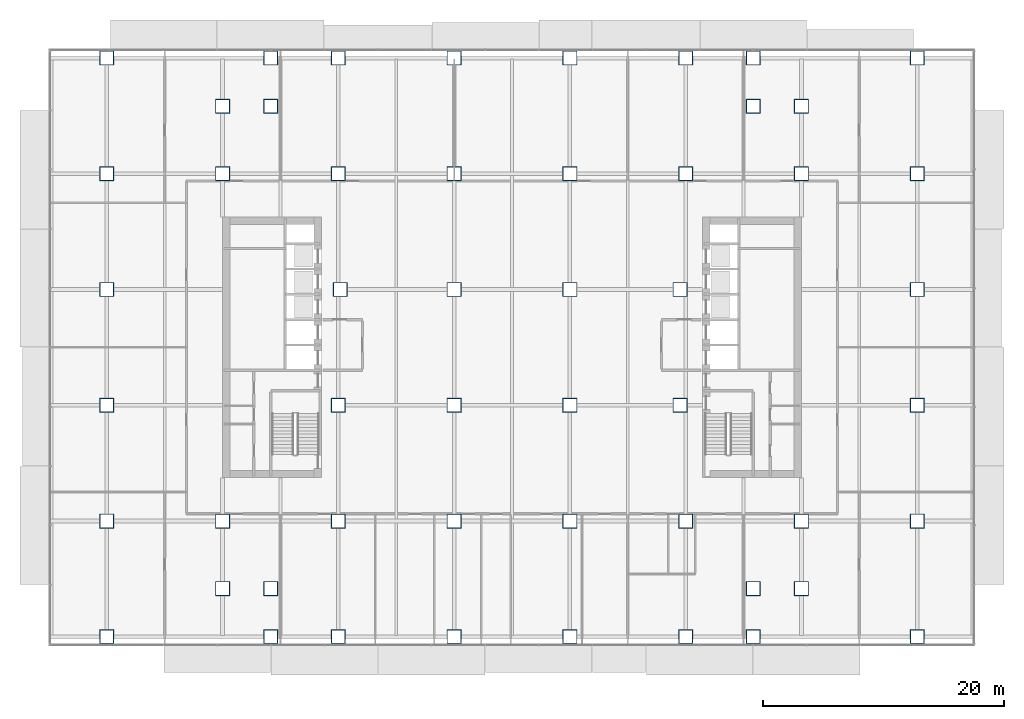
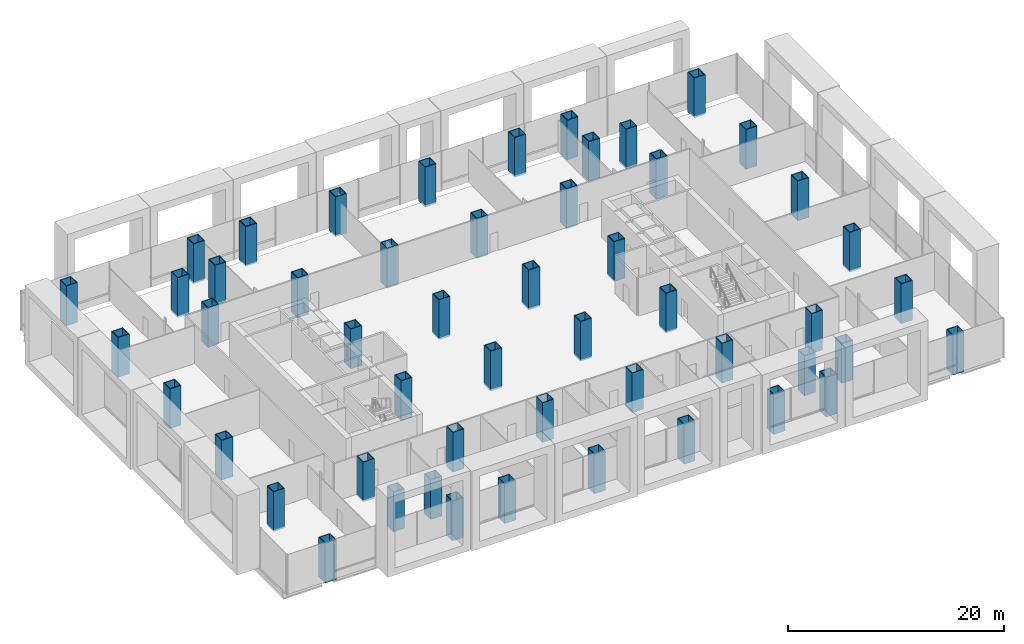
# One storey, part 1 of 23: 52 columns.
"""IFC4 building model written with IfcOpenShell, lengths in metres."""

from ifc_helpers import new_model, si_unit, direction, frame, origin, origin_2d, place, context, subcontext, project, spatial, hollow_rectangle, extrude, material, material_profile, profile_set, type_object, element, save


model = new_model("IFC4")

# Units and contexts
model_context = context("Model", 3, precision=1e-05, world=origin(), true_north=direction((0.0, 1.0)))
body_context = subcontext(model_context, "Body", "Model", "MODEL_VIEW")
ifc_project = project(units=[si_unit("LENGTHUNIT", "METRE"), si_unit("AREAUNIT", "SQUARE_METRE"), si_unit("VOLUMEUNIT", "CUBIC_METRE"), si_unit("PLANEANGLEUNIT", "RADIAN"), si_unit("MASSUNIT", "GRAM", prefix="KILO")], contexts=[model_context])

# Site, building, storey
site_placement = place(None, origin())
site = spatial("IfcSite", under=ifc_project, at=site_placement, CompositionType="ELEMENT")
building_placement = place(site_placement, origin())
building = spatial("IfcBuilding", under=site, at=building_placement, Name="Cobrizo Arcos Hotel Tower", CompositionType="ELEMENT")
storey_placement = place(building_placement, frame((0.0, 0.0, 24.5)))
storey = spatial("IfcBuildingStorey", under=building, at=storey_placement, Name="L04", CompositionType="ELEMENT", Elevation=24.5)

# Columns
ifc_material = material(Name="Steel ASTM A572 Grade 50", Category="steel")
ifc_material_profile_1 = material_profile(ifc_material, hollow_rectangle(XDim=1.199951171875, YDim=1.199951171875, WallThickness=0.070068359375, at=origin_2d()), Name="BOX 1200X1200X70")
ifc_profile_set_1 = profile_set([ifc_material_profile_1], Name="Steel ASTM A572 Grade 50")
column_type_1 = type_object("IfcColumnType", Name="BOX 1200X1200X70 column", PredefinedType="COLUMN", material=ifc_profile_set_1)
for number, where, z_axis, x_axis, name in (
    (1, (-33.60009765625, -24.0, -0.199951171875), (0.0, 0.0, 1.0), (1.0, 0.0, 0.0), "Perimeter column C1, L04, no. 00"),
    (2, (-33.60009765625, -14.39990234375, -0.199951171875), (0.0, 0.0, 1.0), (1.0, 0.0, 0.0), "Perimeter column C1, L04, no. 01"),
    (3, (-33.60009765625, -4.800048828125, -0.199951171875), (0.0, 0.0, 1.0), (1.0, 0.0, 0.0), "Perimeter column C1, L04, no. 02"),
    (4, (-33.60009765625, 4.800048828125, -0.199951171875), (0.0, 0.0, 1.0), (1.0, 0.0, 0.0), "Perimeter column C1, L04, no. 03"),
    (5, (-33.60009765625, 14.39990234375, -0.199951171875), (0.0, 0.0, 1.0), (1.0, 0.0, 0.0), "Perimeter column C1, L04, no. 04"),
    (6, (-33.60009765625, 24.0, -0.199951171875), (0.0, 0.0, 1.0), (1.0, 0.0, 0.0), "Perimeter column C1, L04, no. 05"),
    (7, (-20.0, -24.0, -0.199951171875), (0.0, 0.0, 1.0), (1.0, 0.0, 0.0), "Perimeter column C1, L04, no. 06"),
    (8, (-20.0, 24.0, -0.199951171875), (0.0, 0.0, 1.0), (1.0, 0.0, 0.0), "Perimeter column C1, L04, no. 07"),
    (9, (-14.39990234375, -24.0, -0.199951171875), (0.0, 0.0, 1.0), (1.0, 0.0, 0.0), "Perimeter column C1, L04, no. 08"),
    (10, (-14.39990234375, 24.0, -0.199951171875), (0.0, 0.0, 1.0), (1.0, 0.0, 0.0), "Perimeter column C1, L04, no. 09"),
    (11, (-4.800048828125, -24.0, -0.199951171875), (0.0, 0.0, 1.0), (1.0, 0.0, 0.0), "Perimeter column C1, L04, no. 10"),
    (12, (-4.800048828125, 24.0, -0.199951171875), (0.0, 0.0, 1.0), (1.0, 0.0, 0.0), "Perimeter column C1, L04, no. 11"),
    (13, (4.800048828125, -24.0, -0.199951171875), (0.0, 0.0, 1.0), (1.0, 0.0, 0.0), "Perimeter column C1, L04, no. 12"),
    (14, (4.800048828125, 24.0, -0.199951171875), (0.0, 0.0, 1.0), (1.0, 0.0, 0.0), "Perimeter column C1, L04, no. 13"),
    (15, (14.39990234375, -24.0, -0.199951171875), (0.0, 0.0, 1.0), (1.0, 0.0, 0.0), "Perimeter column C1, L04, no. 14"),
    (16, (14.39990234375, 24.0, -0.199951171875), (0.0, 0.0, 1.0), (1.0, 0.0, 0.0), "Perimeter column C1, L04, no. 15"),
    (17, (20.0, -24.0, -0.199951171875), (0.0, 0.0, 1.0), (1.0, 0.0, 0.0), "Perimeter column C1, L04, no. 16"),
    (18, (20.0, 24.0, -0.199951171875), (0.0, 0.0, 1.0), (1.0, 0.0, 0.0), "Perimeter column C1, L04, no. 17"),
    (19, (33.60009765625, -24.0, -0.199951171875), (0.0, 0.0, 1.0), (1.0, 0.0, 0.0), "Perimeter column C1, L04, no. 18"),
    (20, (33.60009765625, -14.39990234375, -0.199951171875), (0.0, 0.0, 1.0), (1.0, 0.0, 0.0), "Perimeter column C1, L04, no. 19"),
    (21, (33.60009765625, -4.800048828125, -0.199951171875), (0.0, 0.0, 1.0), (1.0, 0.0, 0.0), "Perimeter column C1, L04, no. 20"),
    (22, (33.60009765625, 4.800048828125, -0.199951171875), (0.0, 0.0, 1.0), (1.0, 0.0, 0.0), "Perimeter column C1, L04, no. 21"),
    (23, (33.60009765625, 14.39990234375, -0.199951171875), (0.0, 0.0, 1.0), (1.0, 0.0, 0.0), "Perimeter column C1, L04, no. 22"),
    (24, (33.60009765625, 24.0, -0.199951171875), (0.0, 0.0, 1.0), (1.0, 0.0, 0.0), "Perimeter column C1, L04, no. 23"),
):
    element("IfcColumn", number, at=place(storey_placement, frame(where, z_axis=z_axis, x_axis=x_axis)), inside=storey, type_object=column_type_1, Name=name, PredefinedType="COLUMN", context=body_context, shape_type="SweptSolid", body=[
        extrude(hollow_rectangle(XDim=1.199951171875, YDim=1.199951171875, WallThickness=0.070068359375, at=origin_2d()), origin(), (0.0, 0.0, 1.0), 4.5),
    ])
ifc_material_profile_2 = material_profile(ifc_material, hollow_rectangle(XDim=1.199951171875, YDim=1.199951171875, WallThickness=0.070068359375, at=origin_2d()), Name="BOX 1200X1200X70")
ifc_profile_set_2 = profile_set([ifc_material_profile_2], Name="Steel ASTM A572 Grade 50")
column_type_2 = type_object("IfcColumnType", Name="BOX 1200X1200X70 interior column", PredefinedType="COLUMN", material=ifc_profile_set_2)
for number, where, z_axis, x_axis, name in (
    (25, (-24.0, -20.0, -0.199951171875), (0.0, 0.0, 1.0), (1.0, 0.0, 0.0), "Interior column C2, L04, no. 00"),
    (26, (-24.0, -14.39990234375, -0.199951171875), (0.0, 0.0, 1.0), (1.0, 0.0, 0.0), "Interior column C2, L04, no. 01"),
    (27, (-24.0, 14.39990234375, -0.199951171875), (0.0, 0.0, 1.0), (1.0, 0.0, 0.0), "Interior column C2, L04, no. 02"),
    (28, (-24.0, 20.0, -0.199951171875), (0.0, 0.0, 1.0), (1.0, 0.0, 0.0), "Interior column C2, L04, no. 03"),
    (29, (-20.0, -20.0, -0.199951171875), (0.0, 0.0, 1.0), (1.0, 0.0, 0.0), "Interior column C2, L04, no. 04"),
    (30, (-20.0, 20.0, -0.199951171875), (0.0, 0.0, 1.0), (1.0, 0.0, 0.0), "Interior column C2, L04, no. 05"),
    (31, (-14.39990234375, -14.39990234375, -0.199951171875), (0.0, 0.0, 1.0), (1.0, 0.0, 0.0), "Interior column C2, L04, no. 06"),
    (32, (-14.39990234375, -4.800048828125, -0.199951171875), (0.0, 0.0, 1.0), (1.0, 0.0, 0.0), "Interior column C2, L04, no. 07"),
    (33, (-14.25, 4.800048828125, -0.199951171875), (0.0, 0.0, 1.0), (1.0, 0.0, 0.0), "Interior column C2, L04, no. 08"),
    (34, (-14.39990234375, 14.39990234375, -0.199951171875), (0.0, 0.0, 1.0), (1.0, 0.0, 0.0), "Interior column C2, L04, no. 09"),
    (35, (-4.800048828125, -14.39990234375, -0.199951171875), (0.0, 0.0, 1.0), (1.0, 0.0, 0.0), "Interior column C2, L04, no. 10"),
    (36, (-4.800048828125, -4.800048828125, -0.199951171875), (0.0, 0.0, 1.0), (1.0, 0.0, 0.0), "Interior column C2, L04, no. 11"),
    (37, (-4.800048828125, 4.800048828125, -0.199951171875), (0.0, 0.0, 1.0), (1.0, 0.0, 0.0), "Interior column C2, L04, no. 12"),
    (38, (-4.800048828125, 14.39990234375, -0.199951171875), (0.0, 0.0, 1.0), (1.0, 0.0, 0.0), "Interior column C2, L04, no. 13"),
    (39, (4.800048828125, -14.39990234375, -0.199951171875), (0.0, 0.0, 1.0), (1.0, 0.0, 0.0), "Interior column C2, L04, no. 14"),
    (40, (4.800048828125, -4.800048828125, -0.199951171875), (0.0, 0.0, 1.0), (1.0, 0.0, 0.0), "Interior column C2, L04, no. 15"),
    (41, (4.800048828125, 4.800048828125, -0.199951171875), (0.0, 0.0, 1.0), (1.0, 0.0, 0.0), "Interior column C2, L04, no. 16"),
    (42, (4.800048828125, 14.39990234375, -0.199951171875), (0.0, 0.0, 1.0), (1.0, 0.0, 0.0), "Interior column C2, L04, no. 17"),
    (43, (14.39990234375, -14.39990234375, -0.199951171875), (0.0, 0.0, 1.0), (1.0, 0.0, 0.0), "Interior column C2, L04, no. 18"),
    (44, (13.93994140625, -4.800048828125, -0.199951171875), (0.0, 0.0, 1.0), (1.0, 0.0, 0.0), "Interior column C2, L04, no. 19"),
    (45, (13.93994140625, 4.800048828125, -0.199951171875), (0.0, 0.0, 1.0), (1.0, 0.0, 0.0), "Interior column C2, L04, no. 20"),
    (46, (14.39990234375, 14.39990234375, -0.199951171875), (0.0, 0.0, 1.0), (1.0, 0.0, 0.0), "Interior column C2, L04, no. 21"),
    (47, (20.0, -20.0, -0.199951171875), (0.0, 0.0, 1.0), (1.0, 0.0, 0.0), "Interior column C2, L04, no. 22"),
    (48, (20.0, 20.0, -0.199951171875), (0.0, 0.0, 1.0), (1.0, 0.0, 0.0), "Interior column C2, L04, no. 23"),
    (49, (24.0, -20.0, -0.199951171875), (0.0, 0.0, 1.0), (1.0, 0.0, 0.0), "Interior column C2, L04, no. 24"),
    (50, (24.0, -14.39990234375, -0.199951171875), (0.0, 0.0, 1.0), (1.0, 0.0, 0.0), "Interior column C2, L04, no. 25"),
    (51, (24.0, 14.39990234375, -0.199951171875), (0.0, 0.0, 1.0), (1.0, 0.0, 0.0), "Interior column C2, L04, no. 26"),
    (52, (24.0, 20.0, -0.199951171875), (0.0, 0.0, 1.0), (1.0, 0.0, 0.0), "Interior column C2, L04, no. 27"),
):
    element("IfcColumn", number, at=place(storey_placement, frame(where, z_axis=z_axis, x_axis=x_axis)), inside=storey, type_object=column_type_2, Name=name, PredefinedType="COLUMN", context=body_context, shape_type="SweptSolid", body=[
        extrude(hollow_rectangle(XDim=1.199951171875, YDim=1.199951171875, WallThickness=0.070068359375, at=origin_2d()), origin(), (0.0, 0.0, 1.0), 4.5),
    ])

save(model, "model.ifc")
